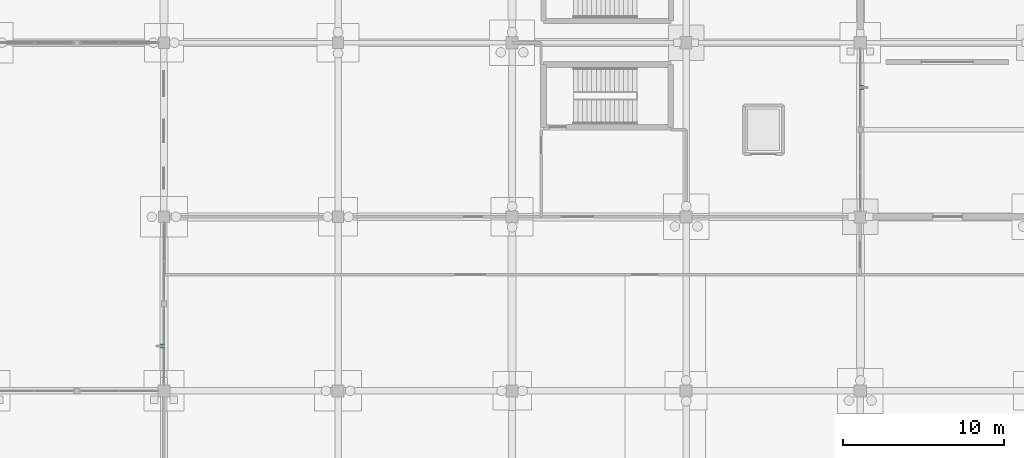
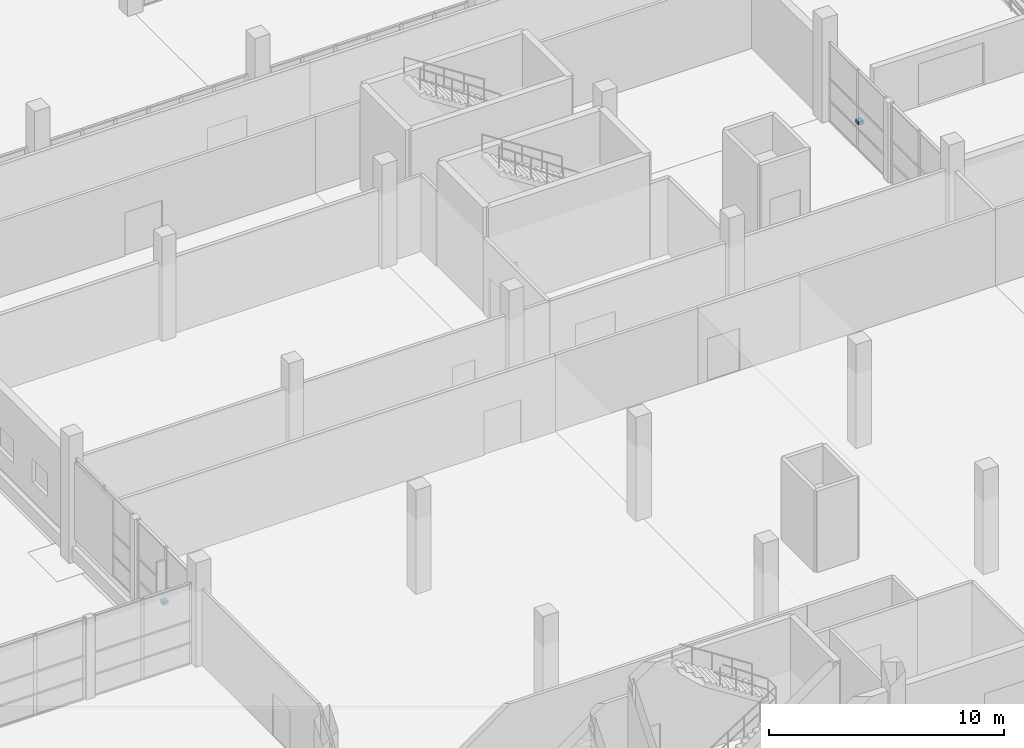
# One storey, part 122 of 138: 2 discrete accessories.
"""IFC4 building model written with IfcOpenShell, lengths in metres."""

import ifcopenshell
import ifcopenshell.guid

model = None  # the IFC model being written
_history = None  # IfcOwnerHistory: only IFC2X3 demands one
_inside = {}  # id of a spatial element -> (the spatial element, [elements in it])
_under = {}  # id of a project, library or spatial element -> (it, [spatial elements below it])
_declared = {}  # id of a project -> (the project, [libraries it declares])
_typed = {}  # id of a type object -> (the type object, [elements of that type])
_made_of = {}  # id of a material, layer set ... -> (it, [elements and type objects made of it])


def new_model(schema):
    """Start an empty IFC model of exactly this schema.

    Asked for "IFC4X3", IfcOpenShell would pick the latest addendum, in which some entities
    have other attributes; the version numbers below select the first issue.
    IFC2X3 requires an IfcOwnerHistory on every rooted entity: one is made here for all.
    """
    global model, _history
    if schema == "IFC4X3":
        model = ifcopenshell.file(schema_version=(4, 3, 0, 0))
    else:
        model = ifcopenshell.file(schema=schema)
    _inside.clear()
    _under.clear()
    _declared.clear()
    _typed.clear()
    _made_of.clear()
    _history = None
    if model.schema == "IFC2X3":
        org = make("IfcOrganization", Name="unknown")
        user = make(
            "IfcPersonAndOrganization",
            ThePerson=make("IfcPerson", FamilyName="unknown"),
            TheOrganization=org,
        )
        app = make(
            "IfcApplication",
            ApplicationDeveloper=org,
            Version="unknown",
            ApplicationFullName="unknown",
            ApplicationIdentifier="unknown",
        )
        _history = make(
            "IfcOwnerHistory",
            OwningUser=user,
            OwningApplication=app,
            ChangeAction="ADDED",
            CreationDate=0,
        )
    return model


def make(cls, **values):
    """One entity of the class cls with the attributes given. An attribute that is None is left unset."""
    return model.create_entity(
        cls, **{name: value for name, value in values.items() if value is not None}
    )


def rooted(cls, **values):
    """An entity with a GlobalId (a new one), such as an element, a storey or a relation."""
    return make(cls, GlobalId=ifcopenshell.guid.new(), OwnerHistory=_history, **values)


def si_unit(unit_type, name, prefix=None):
    """IfcSIUnit, for example si_unit("LENGTHUNIT", "METRE", prefix="MILLI")."""
    return make("IfcSIUnit", UnitType=unit_type, Prefix=prefix, Name=name)


def assignment(units):
    """IfcUnitAssignment: the units of a project."""
    return None if units is None else make("IfcUnitAssignment", Units=units)


def point(xyz):
    """IfcCartesianPoint."""
    return None if xyz is None else make("IfcCartesianPoint", Coordinates=xyz)


def direction(xyz):
    """IfcDirection."""
    return None if xyz is None else make("IfcDirection", DirectionRatios=xyz)


def frame(location, z_axis=None, x_axis=None):
    """IfcAxis2Placement3D, a coordinate frame: its origin and axes. An axis left out is left unset."""
    return make(
        "IfcAxis2Placement3D",
        Location=point(location),
        Axis=direction(z_axis),
        RefDirection=direction(x_axis),
    )


def frame_2d(location, x_axis=None):
    """IfcAxis2Placement2D, a coordinate frame in the plane: its origin and x axis."""
    return make(
        "IfcAxis2Placement2D", Location=point(location), RefDirection=direction(x_axis)
    )


def origin():
    """The frame at (0, 0, 0) with its axes left unset."""
    return frame((0.0, 0.0, 0.0))


def origin_2d():
    """The frame at (0, 0) in the plane with its x axis left unset."""
    return frame_2d((0.0, 0.0))


def place(relative_to, where):
    """IfcLocalPlacement: puts the frame where relative to a parent placement (None: the world)."""
    return make(
        "IfcLocalPlacement", PlacementRelTo=relative_to, RelativePlacement=where
    )


def context(
    kind, dimensions, precision=None, world=None, true_north=None, identifier=None
):
    """IfcGeometricRepresentationContext, for example the 3D "Model" context."""
    return make(
        "IfcGeometricRepresentationContext",
        ContextIdentifier=identifier,
        ContextType=kind,
        CoordinateSpaceDimension=dimensions,
        Precision=precision,
        WorldCoordinateSystem=world,
        TrueNorth=true_north,
    )


def subcontext(parent, identifier, kind, view, scale=None):
    """IfcGeometricRepresentationSubContext, for example "Body" below "Model"."""
    return make(
        "IfcGeometricRepresentationSubContext",
        ContextIdentifier=identifier,
        ContextType=kind,
        ParentContext=parent,
        TargetScale=scale,
        TargetView=view,
    )


def project(units=None, contexts=None):
    """IfcProject with its units and contexts."""
    return rooted(
        "IfcProject",
        Name="project",
        RepresentationContexts=contexts,
        UnitsInContext=assignment(units),
    )


def spatial(cls, under=None, at=None, **own):
    """A site, building, storey or space (cls), placed at a placement, below another one or the project."""
    s = rooted(cls, ObjectPlacement=at, **own)
    if under is not None:
        _under.setdefault(under.id(), (under, []))[1].append(s)
    return s


def profile(cls, at=None, kind="AREA", **sizes):
    """A parametric profile (cls). Its sizes go by their IFC names, for example OverallWidth=200.0."""
    return make(cls, ProfileType=kind, Position=at, **sizes)


def rectangle(**sizes):
    """IfcRectangleProfileDef."""
    return profile("IfcRectangleProfileDef", **sizes)


def extrude(swept, where, along, depth):
    """IfcExtrudedAreaSolid: the profile swept, set in the frame where, extruded along a direction by depth."""
    return make(
        "IfcExtrudedAreaSolid",
        SweptArea=swept,
        Position=where,
        ExtrudedDirection=direction(along),
        Depth=depth,
    )


def shape(context_of_items, identifier, shape_type, items):
    """IfcShapeRepresentation: the items that make up one representation, for example the "Body"."""
    return make(
        "IfcShapeRepresentation",
        ContextOfItems=context_of_items,
        RepresentationIdentifier=identifier,
        RepresentationType=shape_type,
        Items=items,
    )


def material(Name=None, Category=None):
    """IfcMaterial."""
    return make("IfcMaterial", Name=Name, Category=Category)


def made_of(thing, what):
    """Note that an element or type object is made of a material, layer set ...; save() writes the relation."""
    if what is not None:
        _made_of.setdefault(what.id(), (what, []))[1].append(thing)
    return thing


def type_object(cls, material=None, **own):
    """A type object (cls), such as IfcWallType, which elements share."""
    return made_of(rooted(cls, **own), material)


def element(
    cls,
    number,
    at=None,
    inside=None,
    cuts=None,
    type_object=None,
    material=None,
    context=None,
    identifier="Body",
    shape_type=None,
    held_by="IfcProductDefinitionShape",
    body=None,
    shapes=None,
    **own,
):
    """One element of the class cls, such as IfcWall. Its Tag is "e" and its number.

    at: its placement. inside: the storey or other place that contains it. cuts: it is an
    opening in that element (IfcRelVoidsElement). A single representation is given by context,
    identifier, shape_type and body (its items); several are given by shapes. held_by: the class
    of the entity that holds the representations. save() writes the other relations.
    """
    e = rooted(cls, Tag="e%d" % number, ObjectPlacement=at, **own)
    if body is not None:
        shapes = [shape(context, identifier, shape_type, body)]
    if shapes is not None:
        e.Representation = make(held_by, Representations=shapes)
    if inside is not None:
        _inside.setdefault(inside.id(), (inside, []))[1].append(e)
    if cuts is not None:
        rooted(
            "IfcRelVoidsElement", RelatingBuildingElement=cuts, RelatedOpeningElement=e
        )
    if type_object is not None:
        _typed.setdefault(type_object.id(), (type_object, []))[1].append(e)
    return made_of(e, material)


def aggregate(whole, parts):
    """IfcRelAggregates: a whole, such as a stair, and the parts it consists of."""
    return rooted("IfcRelAggregates", RelatingObject=whole, RelatedObjects=parts)


def save(model, path):
    """Write the relations noted so far, then the file.

    IfcRelAggregates (storeys below a building ...), IfcRelContainedInSpatialStructure (elements
    in a storey), IfcRelDefinesByType, IfcRelAssociatesMaterial and IfcRelDeclares: one each for
    every whole, place, type object, material and project.
    """
    for whole, parts in _under.values():
        aggregate(whole, parts)
    for where, things in _inside.values():
        rooted(
            "IfcRelContainedInSpatialStructure",
            RelatedElements=things,
            RelatingStructure=where,
        )
    for kind, things in _typed.values():
        rooted("IfcRelDefinesByType", RelatedObjects=things, RelatingType=kind)
    for what, things in _made_of.values():
        rooted("IfcRelAssociatesMaterial", RelatedObjects=things, RelatingMaterial=what)
    for by, libraries in _declared.values():
        rooted("IfcRelDeclares", RelatingContext=by, RelatedDefinitions=libraries)
    model.write(path)


model = new_model("IFC4")

# Units and contexts
model_context = context("Model", 3, precision=1e-05, world=origin(), true_north=direction((0.0, 1.0)))
body_context = subcontext(model_context, "Body", "Model", "MODEL_VIEW")
ifc_project = project(units=[si_unit("LENGTHUNIT", "METRE"), si_unit("AREAUNIT", "SQUARE_METRE"), si_unit("VOLUMEUNIT", "CUBIC_METRE"), si_unit("PLANEANGLEUNIT", "RADIAN"), si_unit("MASSUNIT", "GRAM", prefix="KILO")], contexts=[model_context])

# Site, building, storey
site_placement = place(None, origin())
site = spatial("IfcSite", under=ifc_project, at=site_placement, CompositionType="ELEMENT")
building_placement = place(site_placement, origin())
building = spatial("IfcBuilding", under=site, at=building_placement, Name="Zwinboog Wholesale Market", CompositionType="ELEMENT")
storey_placement = place(building_placement, origin())
storey = spatial("IfcBuildingStorey", under=building, at=storey_placement, Name="L00", CompositionType="ELEMENT", Elevation=0.0)

# Discrete accessories
ifc_material = material(Name="Steel S355", Category="steel")
discrete_accessory_type = type_object("IfcDiscreteAccessoryType", Name="ACC-BRK-S355", PredefinedType="BRACKET", material=ifc_material)
for number, where, z_axis, x_axis, name in (
    (1, (129.510009765625, 24.385009765625, 1.31005859375), (0.0, 0.0, 1.0), (1.0, 0.0, 0.0), "BK-01 (ACC-FBRK-014)"),
    (2, (172.875, 40.4150390625, 1.31005859375), (0.0, 0.0, 1.0), (1.0, 0.0, 0.0), "BK-01 (ACC-FBRK-015)"),
):
    element("IfcDiscreteAccessory", number, at=place(storey_placement, frame(where, z_axis=z_axis, x_axis=x_axis)), inside=storey, type_object=discrete_accessory_type, Name=name, PredefinedType="BRACKET", context=body_context, shape_type="SweptSolid", body=[
        extrude(rectangle(XDim=0.239990234375, YDim=0.239990234375, at=origin_2d()), origin(), (0.0, 0.0, 1.0), 0.179931640625),
    ])

save(model, "model.ifc")
